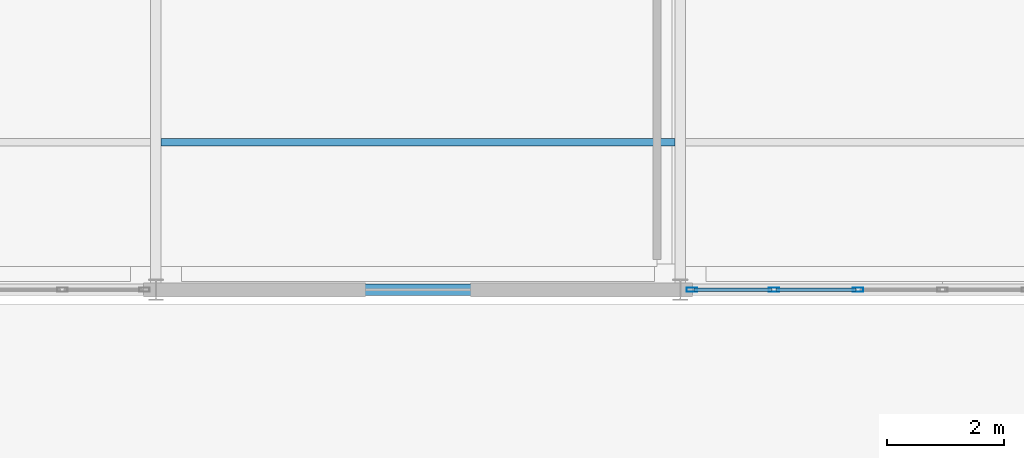
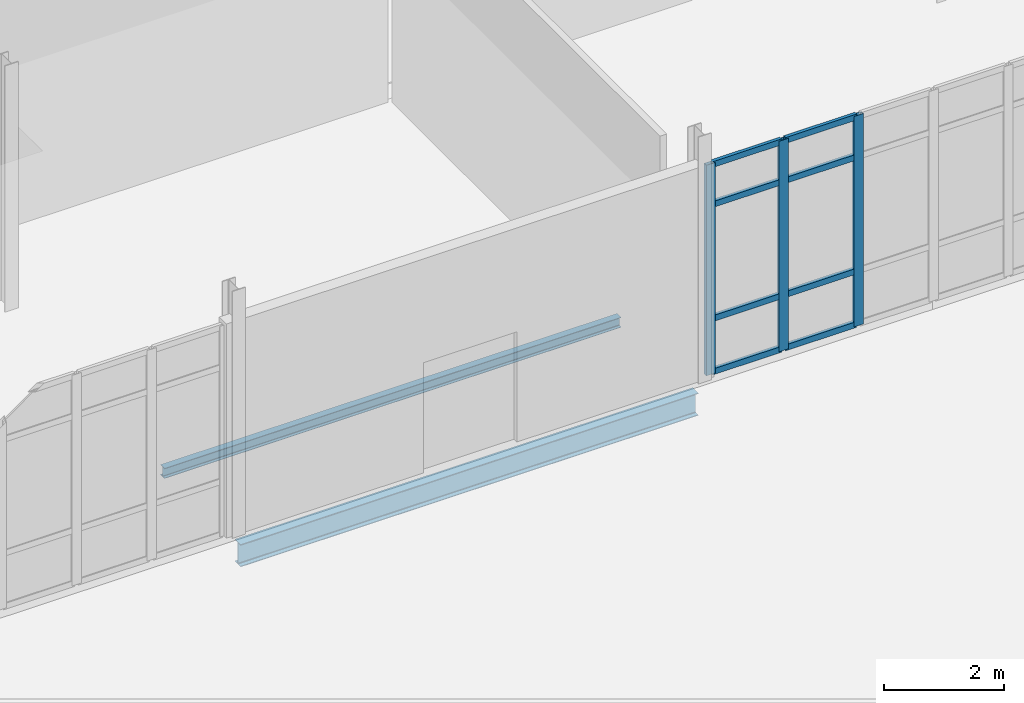
# One storey, part 77 of 161: 11 members, 2 beams, 1 element without a shape of its own.
"""IFC4 building model written with IfcOpenShell, lengths in metres."""

from ifc_helpers import new_model, si_unit, direction, frame, origin, origin_2d, place, context, subcontext, project, spatial, hollow_rectangle, i_section, extrude, material, material_profile, profile_set, type_object, element, aggregate, save


model = new_model("IFC4")

# Units and contexts
model_context = context("Model", 3, precision=1e-05, world=origin(), true_north=direction((0.0, 1.0)))
body_context = subcontext(model_context, "Body", "Model", "MODEL_VIEW")
ifc_project = project(units=[si_unit("LENGTHUNIT", "METRE"), si_unit("AREAUNIT", "SQUARE_METRE"), si_unit("VOLUMEUNIT", "CUBIC_METRE"), si_unit("PLANEANGLEUNIT", "RADIAN"), si_unit("MASSUNIT", "GRAM", prefix="KILO")], contexts=[model_context])

# Site, building, storey
site_placement = place(None, origin())
site = spatial("IfcSite", under=ifc_project, at=site_placement, CompositionType="ELEMENT")
building_placement = place(site_placement, origin())
building = spatial("IfcBuilding", under=site, at=building_placement, Name="Caisbarro Railhouse Central Library", CompositionType="ELEMENT")
storey_placement = place(building_placement, origin())
storey = spatial("IfcBuildingStorey", under=building, at=storey_placement, Name="L00", CompositionType="ELEMENT", Elevation=0.0)

# Beams
ifc_material_1 = material(Name="Steel ASTM A572 Grade 50", Category="steel")
ifc_material_profile_1 = material_profile(ifc_material_1, i_section(OverallWidth=0.133056640625, OverallDepth=0.20703125, WebThickness=0.005859375, FlangeThickness=0.00830078125, FilletRadius=0.010009765625, at=origin_2d()), Name="W200X26.6")
ifc_profile_set_1 = profile_set([ifc_material_profile_1], Name="Steel ASTM A572 Grade 50")
beam_type_1 = type_object("IfcBeamType", Name="BM-J07", PredefinedType="JOIST", material=ifc_profile_set_1)
beam_1_placement = place(storey_placement, frame((63.089111328125, 86.13330078125, -0.353515625), z_axis=(1.0, 0.0, 0.0), x_axis=(0.0, 1.0, 0.0)))
element("IfcBeam", 1, at=beam_1_placement, inside=storey, type_object=beam_type_1, Name="J07 beam L00 #657", PredefinedType="JOIST", context=body_context, shape_type="SweptSolid", body=[
    extrude(i_section(OverallWidth=0.133056640625, OverallDepth=0.20703125, WebThickness=0.005859375, FlangeThickness=0.00830078125, FilletRadius=0.010009765625, at=origin_2d()), origin(), (0.0, 0.0, 1.0), 8.82177734375),
])
ifc_material_profile_2 = material_profile(ifc_material_1, i_section(OverallWidth=0.18994140625, OverallDepth=0.45703125, WebThickness=0.009033203125, FlangeThickness=0.014404296875, FilletRadius=0.01806640625, at=origin_2d()), Name="W460X74.0")
ifc_profile_set_2 = profile_set([ifc_material_profile_2], Name="Steel ASTM A572 Grade 50")
beam_type_2 = type_object("IfcBeamType", Name="BM-SP01", PredefinedType="SPANDREL", material=ifc_profile_set_2)
beam_2_placement = place(storey_placement, frame((63.080078125, 83.60009765625, -0.478515625), z_axis=(1.0, 0.0, 0.0), x_axis=(0.0, 1.0, 0.0)))
element("IfcBeam", 2, at=beam_2_placement, inside=storey, type_object=beam_type_2, Name="SP01 beam L00 #614", PredefinedType="SPANDREL", context=body_context, shape_type="SweptSolid", body=[
    extrude(i_section(OverallWidth=0.18994140625, OverallDepth=0.45703125, WebThickness=0.009033203125, FlangeThickness=0.014404296875, FilletRadius=0.01806640625, at=origin_2d()), origin(), (0.0, 0.0, 1.0), 8.83984375),
])

# Curtain wall, members
ifc_material_2 = material(Name="Anodised architectural aluminium", Category="aluminium")
curtain_wall_type = type_object("IfcCurtainWallType", Name="CW-CW02", PredefinedType="NOTDEFINED", material=ifc_material_2)
curtain_wall_placement = place(storey_placement, origin())
curtain_wall = element("IfcCurtainWall", 3, at=curtain_wall_placement, inside=storey, type_object=curtain_wall_type, Name="CW02 curtain wall L00 #168", PredefinedType="NOTDEFINED")
ifc_material_profile_3 = material_profile(ifc_material_2, hollow_rectangle(XDim=0.074951171875, YDim=0.179931640625, WallThickness=0.00439453125, at=origin_2d()), Name="ALU-MUL-75X180")
ifc_profile_set_3 = profile_set([ifc_material_profile_3], Name="Anodised architectural aluminium")
member_type_1 = type_object("IfcMemberType", Name="CWM-M01", PredefinedType="MULLION", material=ifc_profile_set_3)
member_1_placement = place(storey_placement, frame((72.197509765625, 83.60009765625, 0.0), z_axis=(0.0, 0.0, 1.0), x_axis=(0.0, 1.0, 0.0)))
member_1 = element("IfcMember", 4, at=member_1_placement, type_object=member_type_1, Name="CW02 mullion 1", PredefinedType="MULLION", context=body_context, shape_type="SweptSolid", body=[
    extrude(hollow_rectangle(XDim=0.074951171875, YDim=0.179931640625, WallThickness=0.00439453125, at=origin_2d()), origin(), (0.0, 0.0, 1.0), 4.300048828125),
])
member_2_placement = place(storey_placement, frame((73.606689453125, 83.60009765625, 0.0), z_axis=(0.0, 0.0, 1.0), x_axis=(0.0, 1.0, 0.0)))
member_2 = element("IfcMember", 5, at=member_2_placement, type_object=member_type_1, Name="CW02 mullion 2", PredefinedType="MULLION", context=body_context, shape_type="SweptSolid", body=[
    extrude(hollow_rectangle(XDim=0.074951171875, YDim=0.179931640625, WallThickness=0.00439453125, at=origin_2d()), origin(), (0.0, 0.0, 1.0), 4.300048828125),
])
member_3_placement = place(storey_placement, frame((75.05322265625, 83.60009765625, 0.0), z_axis=(0.0, 0.0, 1.0), x_axis=(0.0, 1.0, 0.0)))
member_3 = element("IfcMember", 6, at=member_3_placement, type_object=member_type_1, Name="CW02 mullion 3", PredefinedType="MULLION", context=body_context, shape_type="SweptSolid", body=[
    extrude(hollow_rectangle(XDim=0.074951171875, YDim=0.179931640625, WallThickness=0.00439453125, at=origin_2d()), origin(), (0.0, 0.0, 1.0), 4.300048828125),
])
ifc_material_profile_4 = material_profile(ifc_material_2, hollow_rectangle(XDim=0.06494140625, YDim=0.1201171875, WallThickness=0.00341796875, at=origin_2d()), Name="ALU-TRN-65X120")
ifc_profile_set_4 = profile_set([ifc_material_profile_4], Name="Anodised architectural aluminium")
member_type_2 = type_object("IfcMemberType", Name="CWT-T02", PredefinedType="USERDEFINED", material=ifc_profile_set_4)
member_4_placement = place(storey_placement, frame((72.235107421875, 83.60009765625, 0.032470703125), z_axis=(1.0, 0.0, 0.0), x_axis=(0.0, 1.0, 0.0)))
member_4 = element("IfcMember", 7, at=member_4_placement, type_object=member_type_2, Name="CW02 transom 1.1", ObjectType="TRANSOM", PredefinedType="USERDEFINED", context=body_context, shape_type="SweptSolid", body=[
    extrude(hollow_rectangle(XDim=0.06494140625, YDim=0.1201171875, WallThickness=0.00341796875, at=origin_2d()), origin(), (0.0, 0.0, 1.0), 1.333984375),
])
member_5_placement = place(storey_placement, frame((72.235107421875, 83.60009765625, 1.1201171875), z_axis=(1.0, 0.0, 0.0), x_axis=(0.0, 1.0, 0.0)))
member_5 = element("IfcMember", 8, at=member_5_placement, type_object=member_type_2, Name="CW02 transom 1.2", ObjectType="TRANSOM", PredefinedType="USERDEFINED", context=body_context, shape_type="SweptSolid", body=[
    extrude(hollow_rectangle(XDim=0.06494140625, YDim=0.1201171875, WallThickness=0.00341796875, at=origin_2d()), origin(), (0.0, 0.0, 1.0), 1.333984375),
])
member_6_placement = place(storey_placement, frame((72.235107421875, 83.60009765625, 3.449951171875), z_axis=(1.0, 0.0, 0.0), x_axis=(0.0, 1.0, 0.0)))
member_6 = element("IfcMember", 9, at=member_6_placement, type_object=member_type_2, Name="CW02 transom 1.3", ObjectType="TRANSOM", PredefinedType="USERDEFINED", context=body_context, shape_type="SweptSolid", body=[
    extrude(hollow_rectangle(XDim=0.06494140625, YDim=0.1201171875, WallThickness=0.00341796875, at=origin_2d()), origin(), (0.0, 0.0, 1.0), 1.333984375),
])
member_7_placement = place(storey_placement, frame((72.235107421875, 83.60009765625, 4.267578125), z_axis=(1.0, 0.0, 0.0), x_axis=(0.0, 1.0, 0.0)))
member_7 = element("IfcMember", 10, at=member_7_placement, type_object=member_type_2, Name="CW02 transom 1.4", ObjectType="TRANSOM", PredefinedType="USERDEFINED", context=body_context, shape_type="SweptSolid", body=[
    extrude(hollow_rectangle(XDim=0.06494140625, YDim=0.1201171875, WallThickness=0.00341796875, at=origin_2d()), origin(), (0.0, 0.0, 1.0), 1.333984375),
])
member_8_placement = place(storey_placement, frame((73.644287109375, 83.60009765625, 0.032470703125), z_axis=(1.0, 0.0, 0.0), x_axis=(0.0, 1.0, 0.0)))
member_8 = element("IfcMember", 11, at=member_8_placement, type_object=member_type_2, Name="CW02 transom 2.1", ObjectType="TRANSOM", PredefinedType="USERDEFINED", context=body_context, shape_type="SweptSolid", body=[
    extrude(hollow_rectangle(XDim=0.06494140625, YDim=0.1201171875, WallThickness=0.00341796875, at=origin_2d()), origin(), (0.0, 0.0, 1.0), 1.37158203125),
])
member_9_placement = place(storey_placement, frame((73.644287109375, 83.60009765625, 1.1201171875), z_axis=(1.0, 0.0, 0.0), x_axis=(0.0, 1.0, 0.0)))
member_9 = element("IfcMember", 12, at=member_9_placement, type_object=member_type_2, Name="CW02 transom 2.2", ObjectType="TRANSOM", PredefinedType="USERDEFINED", context=body_context, shape_type="SweptSolid", body=[
    extrude(hollow_rectangle(XDim=0.06494140625, YDim=0.1201171875, WallThickness=0.00341796875, at=origin_2d()), origin(), (0.0, 0.0, 1.0), 1.37158203125),
])
member_10_placement = place(storey_placement, frame((73.644287109375, 83.60009765625, 3.449951171875), z_axis=(1.0, 0.0, 0.0), x_axis=(0.0, 1.0, 0.0)))
member_10 = element("IfcMember", 13, at=member_10_placement, type_object=member_type_2, Name="CW02 transom 2.3", ObjectType="TRANSOM", PredefinedType="USERDEFINED", context=body_context, shape_type="SweptSolid", body=[
    extrude(hollow_rectangle(XDim=0.06494140625, YDim=0.1201171875, WallThickness=0.00341796875, at=origin_2d()), origin(), (0.0, 0.0, 1.0), 1.37158203125),
])
member_11_placement = place(storey_placement, frame((73.644287109375, 83.60009765625, 4.267578125), z_axis=(1.0, 0.0, 0.0), x_axis=(0.0, 1.0, 0.0)))
member_11 = element("IfcMember", 14, at=member_11_placement, type_object=member_type_2, Name="CW02 transom 2.4", ObjectType="TRANSOM", PredefinedType="USERDEFINED", context=body_context, shape_type="SweptSolid", body=[
    extrude(hollow_rectangle(XDim=0.06494140625, YDim=0.1201171875, WallThickness=0.00341796875, at=origin_2d()), origin(), (0.0, 0.0, 1.0), 1.37158203125),
])
aggregate(curtain_wall, [member_1, member_2, member_3, member_4, member_5, member_6, member_7, member_8, member_9, member_10, member_11])

save(model, "model.ifc")
